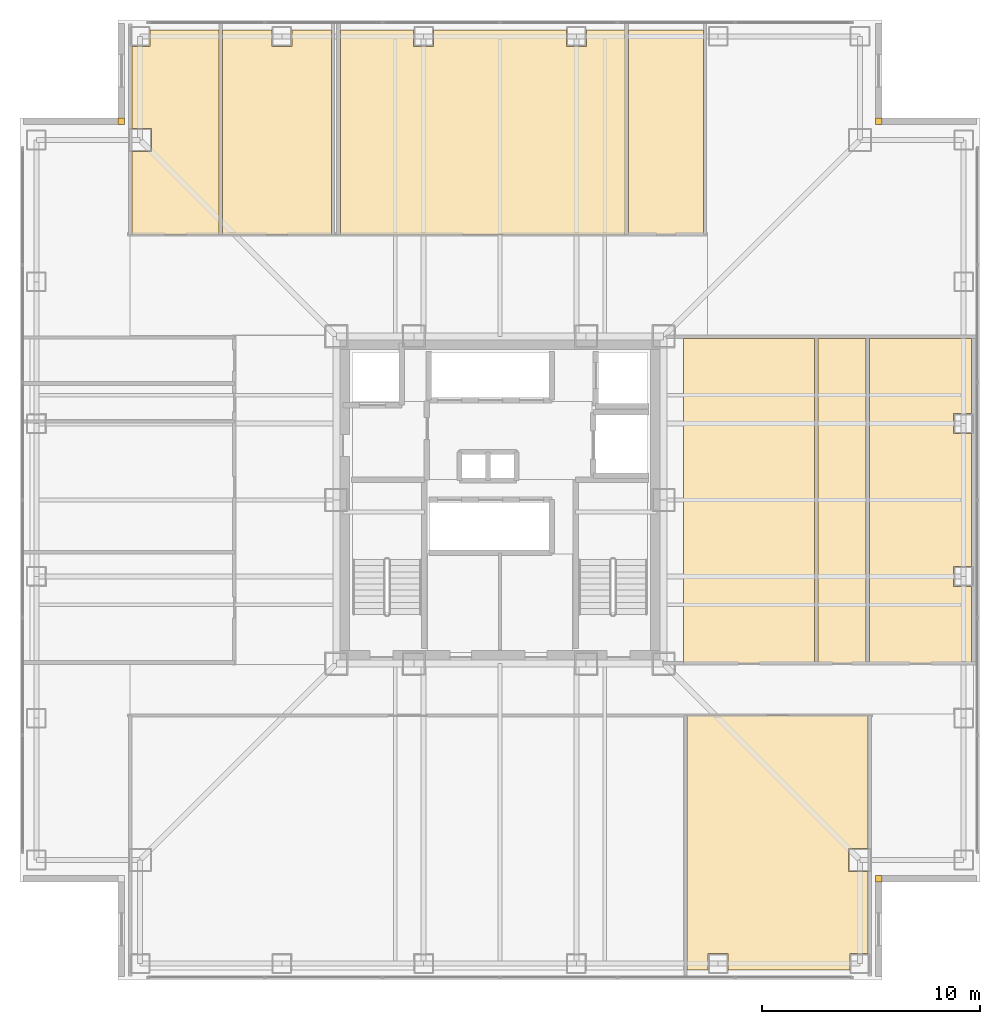
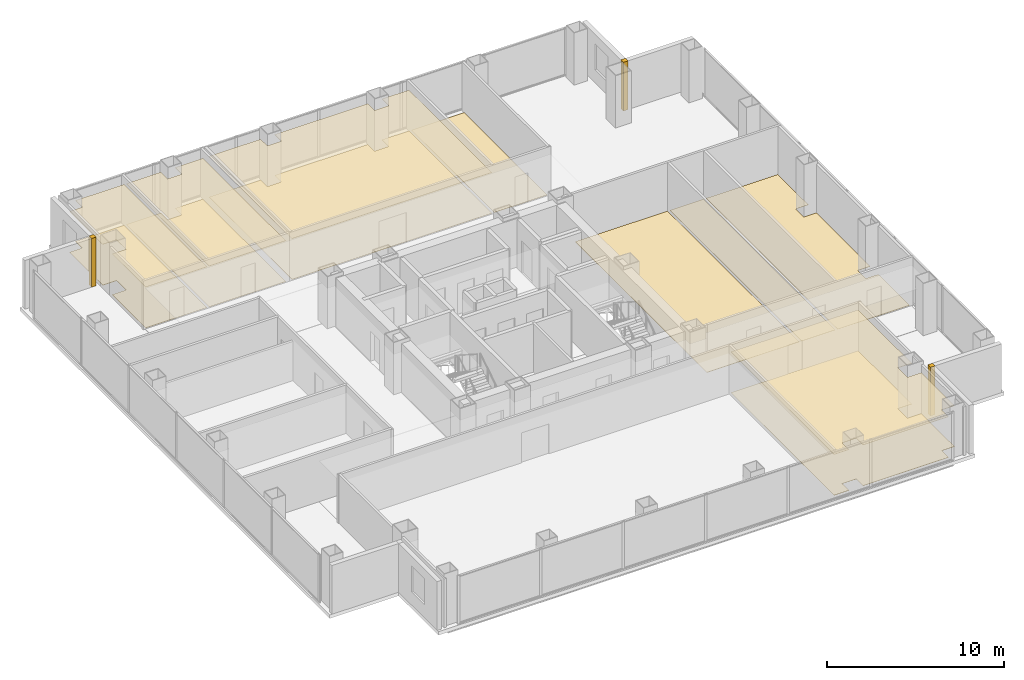
# One storey, part 14 of 14: 15 coverings.
"""IFC4 building model written with IfcOpenShell, lengths in metres."""

from ifc_helpers import new_model, si_unit, direction, frame, origin, place, context, subcontext, project, spatial, polyline, outline, extrude, material, layer, layer_set, type_object, element, save


model = new_model("IFC4")

# Units and contexts
model_context = context("Model", 3, precision=1e-05, world=origin(), true_north=direction((0.0, 1.0)))
body_context = subcontext(model_context, "Body", "Model", "MODEL_VIEW")
ifc_project = project(units=[si_unit("LENGTHUNIT", "METRE"), si_unit("AREAUNIT", "SQUARE_METRE"), si_unit("VOLUMEUNIT", "CUBIC_METRE"), si_unit("PLANEANGLEUNIT", "RADIAN"), si_unit("MASSUNIT", "GRAM", prefix="KILO")], contexts=[model_context])

# Site, building, storey
site_placement = place(None, origin())
site = spatial("IfcSite", under=ifc_project, at=site_placement, CompositionType="ELEMENT")
building_placement = place(site_placement, origin())
building = spatial("IfcBuilding", under=site, at=building_placement, Name="Trevonay Congress Spire", CompositionType="ELEMENT")
storey_placement = place(building_placement, frame((0.0, 0.0, 140.800048828125)))
storey = spatial("IfcBuildingStorey", under=building, at=storey_placement, Name="L36", CompositionType="ELEMENT", Elevation=140.800048828125)

# Coverings
ifc_material_1 = material(Name="Acoustic Mineral Fibre Board", Category="gypsum")
ifc_layer_1 = layer(ifc_material_1, 0.02490234375, Name="Acoustic Mineral Fibre Board")
ifc_layer_set_1 = layer_set([ifc_layer_1], Name="Acoustic Mineral Fibre Board")
covering_type_1 = type_object("IfcCoveringType", Name="COV-CEIL-ACOUSTIC", PredefinedType="CEILING", material=ifc_layer_set_1)
covering_1_placement = place(storey_placement, frame((0.0, 0.0, 2.81005859375)))
element("IfcCovering", 1, at=covering_1_placement, inside=storey, type_object=covering_type_1, Name="L36 Curatorial Preparation Office acoustic suspended ceiling", PredefinedType="CEILING", context=body_context, shape_type="SweptSolid", body=[
    extrude(outline(polyline([(8.580078125, -21.550048828125), (8.580078125, -9.8798828125), (16.8701171875, -9.8798828125), (16.8701171875, -15.965087890625), (15.965087890625, -15.965087890625), (15.965087890625, -17.034912109375), (16.8701171875, -17.034912109375), (16.8701171875, -20.7900390625), (16.0400390625, -20.7900390625), (16.0400390625, -21.550048828125), (10.4599609375, -21.550048828125), (10.4599609375, -20.7900390625), (9.5400390625, -20.7900390625), (9.5400390625, -21.550048828125), (8.580078125, -21.550048828125)])), origin(), (0.0, 0.0, 1.0), 0.02490234375),
])
covering_2_placement = place(storey_placement, frame((0.0, 0.0, 2.81005859375)))
element("IfcCovering", 2, at=covering_2_placement, inside=storey, type_object=covering_type_1, Name="L36 Podcast Production Office acoustic suspended ceiling", PredefinedType="CEILING", context=body_context, shape_type="SweptSolid", body=[
    extrude(outline(polyline([(-12.8798828125, 21.550048828125), (-12.8798828125, 12.179931640625), (-16.8701171875, 12.179931640625), (-16.8701171875, 15.965087890625), (-15.965087890625, 15.965087890625), (-15.965087890625, 17.034912109375), (-16.8701171875, 17.034912109375), (-16.8701171875, 20.7900390625), (-16.0400390625, 20.7900390625), (-16.0400390625, 21.550048828125), (-12.8798828125, 21.550048828125)])), origin(), (0.0, 0.0, 1.0), 0.02490234375),
])
covering_3_placement = place(storey_placement, frame((0.0, 0.0, 2.81005859375)))
element("IfcCovering", 3, at=covering_3_placement, inside=storey, type_object=covering_type_1, Name="L36 Audio Editing Office acoustic suspended ceiling", PredefinedType="CEILING", context=body_context, shape_type="SweptSolid", body=[
    extrude(outline(polyline([(-7.72998046875, 21.550048828125), (-7.72998046875, 12.179931640625), (-12.719970703125, 12.179931640625), (-12.719970703125, 21.550048828125), (-10.4599609375, 21.550048828125), (-10.4599609375, 20.7900390625), (-9.5400390625, 20.7900390625), (-9.5400390625, 21.550048828125), (-7.72998046875, 21.550048828125)])), origin(), (0.0, 0.0, 1.0), 0.02490234375),
])
covering_4_placement = place(storey_placement, frame((0.0, 0.0, 2.81005859375)))
element("IfcCovering", 4, at=covering_4_placement, inside=storey, type_object=covering_type_1, Name="L36 Photography Exhibition Salon acoustic suspended ceiling", PredefinedType="CEILING", context=body_context, shape_type="SweptSolid", body=[
    extrude(outline(polyline([(5.719970703125, 21.550048828125), (5.719970703125, 12.179931640625), (-7.320068359375, 12.179931640625), (-7.320068359375, 21.550048828125), (-3.9599609375, 21.550048828125), (-3.9599609375, 20.7900390625), (-3.0400390625, 20.7900390625), (-3.0400390625, 21.550048828125), (3.0400390625, 21.550048828125), (3.0400390625, 20.7900390625), (3.9599609375, 20.7900390625), (3.9599609375, 21.550048828125), (5.719970703125, 21.550048828125)])), origin(), (0.0, 0.0, 1.0), 0.02490234375),
])
ifc_material_2 = material(Name="Polished Granite Floor Tile", Category="masonry")
ifc_layer_2 = layer(ifc_material_2, 0.02001953125, Name="Polished Granite Floor Tile")
ifc_layer_set_2 = layer_set([ifc_layer_2], Name="Polished Granite Floor Tile")
covering_type_2 = type_object("IfcCoveringType", Name="COV-FLOOR-STONE", PredefinedType="FLOORING", material=ifc_layer_set_2)
covering_5_placement = place(storey_placement, origin())
element("IfcCovering", 5, at=covering_5_placement, inside=storey, type_object=covering_type_2, Name="L36 Female Restroom WC floor finish", PredefinedType="FLOORING", context=body_context, shape_type="SweptSolid", body=[
    extrude(outline(polyline([(5.8798828125, 12.179931640625), (9.320068359375, 12.179931640625), (9.320068359375, 21.550048828125), (5.8798828125, 21.550048828125), (5.8798828125, 12.179931640625)])), origin(), (0.0, 0.0, 1.0), 0.02001953125),
])
covering_6_placement = place(storey_placement, origin())
element("IfcCovering", 6, at=covering_6_placement, inside=storey, type_object=covering_type_2, Name="L36 Broadcast Equipment Store floor finish", PredefinedType="FLOORING", context=body_context, shape_type="SweptSolid", body=[
    extrude(outline(polyline([(8.39990234375, -7.47998046875), (14.419921875, -7.47998046875), (14.419921875, 7.39990234375), (8.39990234375, 7.39990234375), (8.39990234375, -7.47998046875)])), origin(), (0.0, 0.0, 1.0), 0.02001953125),
])
covering_7_placement = place(storey_placement, origin())
element("IfcCovering", 7, at=covering_7_placement, inside=storey, type_object=covering_type_2, Name="L36 Male Restroom WC floor finish", PredefinedType="FLOORING", context=body_context, shape_type="SweptSolid", body=[
    extrude(outline(polyline([(14.580078125, -7.47998046875), (16.77001953125, -7.47998046875), (16.77001953125, 7.39990234375), (14.580078125, 7.39990234375), (14.580078125, -7.47998046875)])), origin(), (0.0, 0.0, 1.0), 0.02001953125),
])
covering_8_placement = place(storey_placement, origin())
element("IfcCovering", 8, at=covering_8_placement, inside=storey, type_object=covering_type_2, Name="L36 Floor Supplies and Copy Room floor finish", PredefinedType="FLOORING", context=body_context, shape_type="SweptSolid", body=[
    extrude(outline(polyline([(21.6201171875, -7.47998046875), (16.929931640625, -7.47998046875), (16.929931640625, 7.39990234375), (21.6201171875, 7.39990234375), (21.6201171875, 3.9599609375), (20.7900390625, 3.9599609375), (20.7900390625, 3.0400390625), (21.6201171875, 3.0400390625), (21.6201171875, -3.0400390625), (20.7900390625, -3.0400390625), (20.7900390625, -3.9599609375), (21.6201171875, -3.9599609375), (21.6201171875, -7.47998046875)])), origin(), (0.0, 0.0, 1.0), 0.02001953125),
])
ifc_material_3 = material(Name="Engineered Oak Flooring", Category="wood")
ifc_layer_3 = layer(ifc_material_3, 0.01806640625, Name="Engineered Oak Flooring")
ifc_layer_set_3 = layer_set([ifc_layer_3], Name="Engineered Oak Flooring")
covering_type_3 = type_object("IfcCoveringType", Name="COV-FLOOR-TIMBER", PredefinedType="FLOORING", material=ifc_layer_set_3)
covering_9_placement = place(storey_placement, origin())
element("IfcCovering", 9, at=covering_9_placement, inside=storey, type_object=covering_type_3, Name="L36 Curatorial Preparation Office floor finish", PredefinedType="FLOORING", context=body_context, shape_type="SweptSolid", body=[
    extrude(outline(polyline([(8.580078125, -21.550048828125), (8.580078125, -9.8798828125), (16.8701171875, -9.8798828125), (16.8701171875, -15.965087890625), (15.965087890625, -15.965087890625), (15.965087890625, -17.034912109375), (16.8701171875, -17.034912109375), (16.8701171875, -20.7900390625), (16.0400390625, -20.7900390625), (16.0400390625, -21.550048828125), (10.4599609375, -21.550048828125), (10.4599609375, -20.7900390625), (9.5400390625, -20.7900390625), (9.5400390625, -21.550048828125), (8.580078125, -21.550048828125)])), origin(), (0.0, 0.0, 1.0), 0.01806640625),
])
covering_10_placement = place(storey_placement, origin())
element("IfcCovering", 10, at=covering_10_placement, inside=storey, type_object=covering_type_3, Name="L36 Podcast Production Office floor finish", PredefinedType="FLOORING", context=body_context, shape_type="SweptSolid", body=[
    extrude(outline(polyline([(-12.8798828125, 21.550048828125), (-12.8798828125, 12.179931640625), (-16.8701171875, 12.179931640625), (-16.8701171875, 15.965087890625), (-15.965087890625, 15.965087890625), (-15.965087890625, 17.034912109375), (-16.8701171875, 17.034912109375), (-16.8701171875, 20.7900390625), (-16.0400390625, 20.7900390625), (-16.0400390625, 21.550048828125), (-12.8798828125, 21.550048828125)])), origin(), (0.0, 0.0, 1.0), 0.01806640625),
])
covering_11_placement = place(storey_placement, origin())
element("IfcCovering", 11, at=covering_11_placement, inside=storey, type_object=covering_type_3, Name="L36 Audio Editing Office floor finish", PredefinedType="FLOORING", context=body_context, shape_type="SweptSolid", body=[
    extrude(outline(polyline([(-7.72998046875, 21.550048828125), (-7.72998046875, 12.179931640625), (-12.719970703125, 12.179931640625), (-12.719970703125, 21.550048828125), (-10.4599609375, 21.550048828125), (-10.4599609375, 20.7900390625), (-9.5400390625, 20.7900390625), (-9.5400390625, 21.550048828125), (-7.72998046875, 21.550048828125)])), origin(), (0.0, 0.0, 1.0), 0.01806640625),
])
covering_12_placement = place(storey_placement, origin())
element("IfcCovering", 12, at=covering_12_placement, inside=storey, type_object=covering_type_3, Name="L36 Photography Exhibition Salon floor finish", PredefinedType="FLOORING", context=body_context, shape_type="SweptSolid", body=[
    extrude(outline(polyline([(5.719970703125, 21.550048828125), (5.719970703125, 12.179931640625), (-7.320068359375, 12.179931640625), (-7.320068359375, 21.550048828125), (-3.9599609375, 21.550048828125), (-3.9599609375, 20.7900390625), (-3.0400390625, 20.7900390625), (-3.0400390625, 21.550048828125), (3.0400390625, 21.550048828125), (3.0400390625, 20.7900390625), (3.9599609375, 20.7900390625), (3.9599609375, 21.550048828125), (5.719970703125, 21.550048828125)])), origin(), (0.0, 0.0, 1.0), 0.01806640625),
])
ifc_material_4 = material(Name="Pale Anodised Aluminium EN AW-6063-T6", Category="aluminium")
ifc_layer_4 = layer(ifc_material_4, 0.0400390625, Name="Pale Anodised Aluminium EN AW-6063-T6")
ifc_layer_set_4 = layer_set([ifc_layer_4], Name="Pale Anodised Aluminium EN AW-6063-T6")
covering_type_4 = type_object("IfcCoveringType", Name="COV-SPANDREL-PALE-METAL", PredefinedType="CLADDING", material=ifc_layer_set_4)
covering_13_placement = place(storey_placement, origin())
element("IfcCovering", 13, at=covering_13_placement, inside=storey, type_object=covering_type_4, Name="L36 SE re-entrant notch corner closure trim", PredefinedType="CLADDING", context=body_context, shape_type="SweptSolid", body=[
    extrude(outline(polyline([(17.199951171875, -17.5), (17.5, -17.5), (17.5, -17.199951171875), (17.199951171875, -17.199951171875), (17.199951171875, -17.5)])), origin(), (0.0, 0.0, 1.0), 3.35986328125),
])
covering_14_placement = place(storey_placement, origin())
element("IfcCovering", 14, at=covering_14_placement, inside=storey, type_object=covering_type_4, Name="L36 NE re-entrant notch corner closure trim", PredefinedType="CLADDING", context=body_context, shape_type="SweptSolid", body=[
    extrude(outline(polyline([(17.199951171875, 17.199951171875), (17.5, 17.199951171875), (17.5, 17.5), (17.199951171875, 17.5), (17.199951171875, 17.199951171875)])), origin(), (0.0, 0.0, 1.0), 3.35986328125),
])
covering_15_placement = place(storey_placement, origin())
element("IfcCovering", 15, at=covering_15_placement, inside=storey, type_object=covering_type_4, Name="L36 NW re-entrant notch corner closure trim", PredefinedType="CLADDING", context=body_context, shape_type="SweptSolid", body=[
    extrude(outline(polyline([(-17.5, 17.199951171875), (-17.199951171875, 17.199951171875), (-17.199951171875, 17.5), (-17.5, 17.5), (-17.5, 17.199951171875)])), origin(), (0.0, 0.0, 1.0), 3.35986328125),
])

save(model, "model.ifc")
